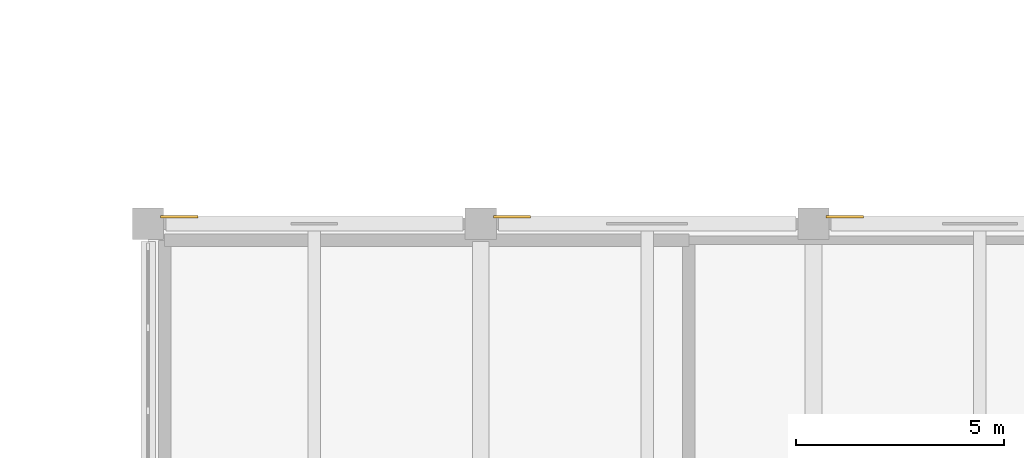
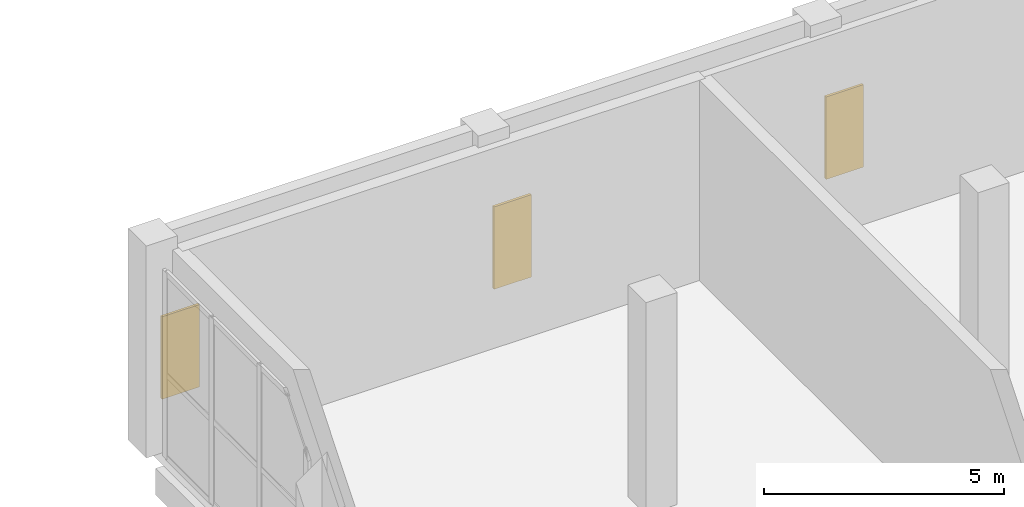
# One storey, part 38 of 40: 3 shading devices.
"""IFC4 building model written with IfcOpenShell, lengths in metres."""

from ifc_helpers import new_model, si_unit, direction, frame, origin, origin_2d, place, context, subcontext, project, spatial, rectangle, extrude, material, layer, layer_set, type_object, element, save


model = new_model("IFC4")

# Units and contexts
model_context = context("Model", 3, precision=1e-05, world=origin(), true_north=direction((0.0, 1.0)))
body_context = subcontext(model_context, "Body", "Model", "MODEL_VIEW")
ifc_project = project(units=[si_unit("LENGTHUNIT", "METRE"), si_unit("AREAUNIT", "SQUARE_METRE"), si_unit("VOLUMEUNIT", "CUBIC_METRE"), si_unit("PLANEANGLEUNIT", "RADIAN"), si_unit("MASSUNIT", "GRAM", prefix="KILO")], contexts=[model_context])

# Site, building, storey
site_placement = place(None, origin())
site = spatial("IfcSite", under=ifc_project, at=site_placement, CompositionType="ELEMENT")
building_placement = place(site_placement, origin())
building = spatial("IfcBuilding", under=site, at=building_placement, Name="Qorikala Patio Media Centre", CompositionType="ELEMENT")
storey_placement = place(building_placement, origin())
storey = spatial("IfcBuildingStorey", under=building, at=storey_placement, Name="L00", CompositionType="ELEMENT", Elevation=0.0)

# Shading devices
ifc_material = material(Name="Golden Bronze Anodised Aluminium", Category="aluminium")
ifc_layer = layer(ifc_material, 0.06005859375)
ifc_layer_set = layer_set([ifc_layer], Name="Golden Bronze Anodised Aluminium")
shading_device_type = type_object("IfcShadingDeviceType", Name="SHD-SHUTTER", PredefinedType="SHUTTER", material=ifc_layer_set)
for number, where, z_axis, x_axis, name in (
    (1, (51.75, 111.1650390625, 0.949951171875), (0.0, 0.0, 1.0), (1.0, 0.0, 0.0), "L00 Colonial Bronze Sun Shutter 003"),
    (2, (59.75, 111.1650390625, 0.949951171875), (0.0, 0.0, 1.0), (1.0, 0.0, 0.0), "L00 Colonial Bronze Sun Shutter 004"),
    (3, (67.75, 111.1650390625, 0.949951171875), (0.0, 0.0, 1.0), (1.0, 0.0, 0.0), "L00 Colonial Bronze Sun Shutter 005"),
):
    element("IfcShadingDevice", number, at=place(storey_placement, frame(where, z_axis=z_axis, x_axis=x_axis)), inside=storey, type_object=shading_device_type, Name=name, PredefinedType="SHUTTER", context=body_context, shape_type="SweptSolid", body=[
        extrude(rectangle(XDim=0.89990234375, YDim=0.06005859375, at=origin_2d()), origin(), (0.0, 0.0, 1.0), 2.10009765625),
    ])

save(model, "model.ifc")
